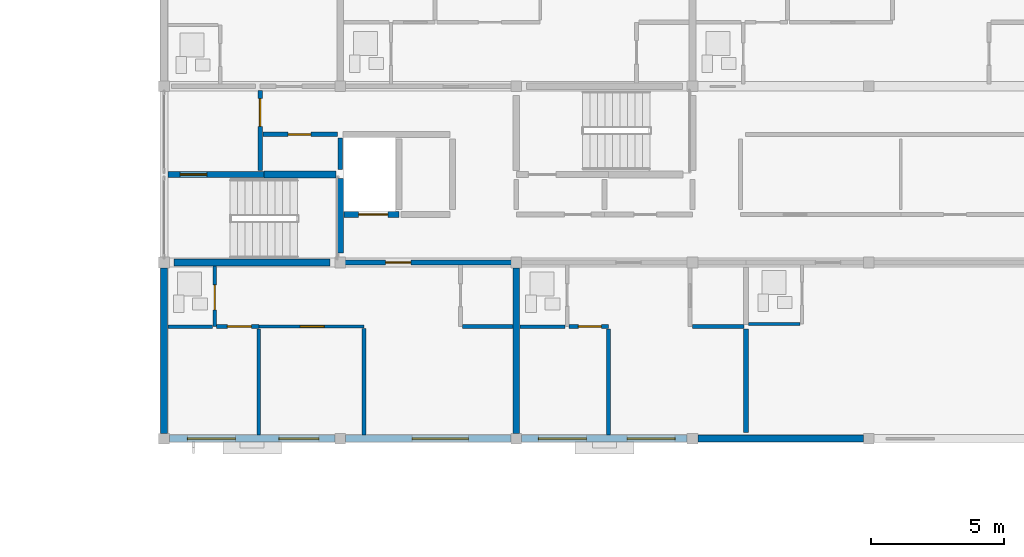
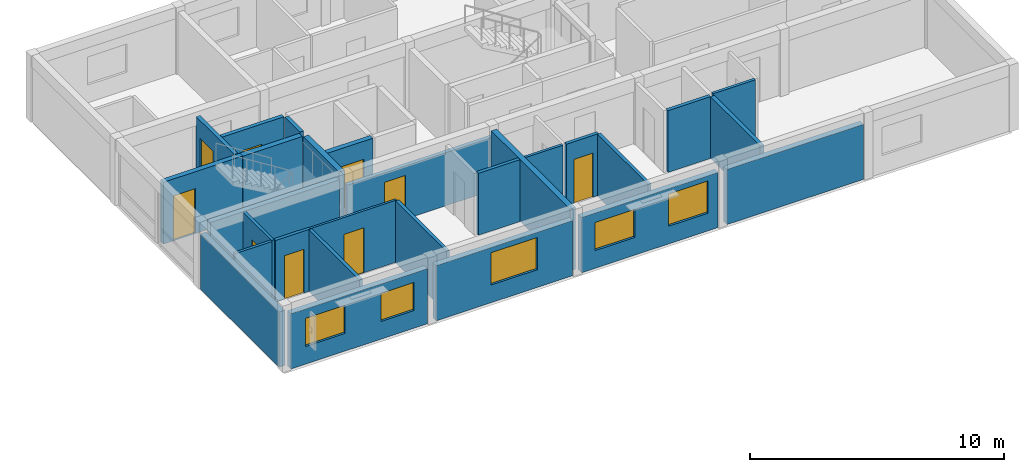
# One storey, part 23 of 37: 28 walls, 9 doors, 5 windows, 14 openings.
"""IFC4 building model written with IfcOpenShell, lengths in metres."""

from ifc_helpers import new_model, si_unit, direction, frame, frame_2d, origin, place, context, subcontext, project, spatial, rectangle, extrude, material, layer, layer_set, type_object, element, fill, save


model = new_model("IFC4")

# Units and contexts
model_context = context("Model", 3, precision=1e-05, world=origin(), true_north=direction((0.0, 1.0)))
body_context = subcontext(model_context, "Body", "Model", "MODEL_VIEW")
ifc_project = project(units=[si_unit("LENGTHUNIT", "METRE"), si_unit("AREAUNIT", "SQUARE_METRE"), si_unit("VOLUMEUNIT", "CUBIC_METRE"), si_unit("PLANEANGLEUNIT", "RADIAN"), si_unit("MASSUNIT", "GRAM", prefix="KILO")], contexts=[model_context])

# Site, building, storey
site_placement = place(None, origin())
site = spatial("IfcSite", under=ifc_project, at=site_placement, CompositionType="ELEMENT")
building_placement = place(site_placement, origin())
building = spatial("IfcBuilding", under=site, at=building_placement, Name="Kernevlak Ridge Housing Community", CompositionType="ELEMENT")
storey_placement = place(building_placement, frame((0.0, 0.0, 37.199951171875)))
storey = spatial("IfcBuildingStorey", under=building, at=storey_placement, Name="L11", CompositionType="ELEMENT", Elevation=37.199951171875)

# Wall, openings, windows
ifc_material_1 = material(Name="Concrete block masonry M10", Category="masonry")
ifc_layer_1 = layer(ifc_material_1, 0.260009765625, Name="Concrete block masonry M10")
ifc_layer_set_1 = layer_set([ifc_layer_1], Name="Concrete block masonry M10")
wall_type_1 = type_object("IfcWallType", Name="EW-05", PredefinedType="STANDARD", material=ifc_layer_set_1)
wall_1_placement = place(storey_placement, frame((119.60009765625, 82.60009765625, 0.0), z_axis=(0.0, 0.0, 1.0), x_axis=(1.0, 0.0, 0.0)))
wall_1 = element("IfcWall", 1, at=wall_1_placement, inside=storey, type_object=wall_type_1, Name="Exterior wall EW-05 L11 467", PredefinedType="STANDARD", context=body_context, shape_type="SweptSolid", body=[
    extrude(rectangle(XDim=6.199951171875, YDim=0.260009765625, at=frame_2d((3.10009765625, 0.0))), origin(), (0.0, 0.0, 1.0), 2.650146484375),
])
opening_1_placement = place(wall_1_placement, frame((0.675048828125, 0.0, 0.85009765625)))
opening_1 = element("IfcOpeningElement", 2, at=opening_1_placement, cuts=wall_1, Name="Opening WT-03", PredefinedType="OPENING", context=body_context, shape_type="SweptSolid", body=[
    extrude(rectangle(XDim=1.800048828125, YDim=1.35009765625, at=frame_2d((0.89990234375, 0.675048828125))), frame((0.0, 0.139892578125, 0.0), z_axis=(0.0, -1.0, 0.0), x_axis=(1.0, 0.0, 0.0)), (0.0, 0.0, 1.0), 0.280029296875),
])
opening_2_placement = place(wall_1_placement, frame((4.10009765625, 0.0, 0.85009765625)))
opening_2 = element("IfcOpeningElement", 3, at=opening_2_placement, cuts=wall_1, Name="Opening WT-02", PredefinedType="OPENING", context=body_context, shape_type="SweptSolid", body=[
    extrude(rectangle(XDim=1.5, YDim=1.35009765625, at=frame_2d((0.75, 0.675048828125))), frame((0.0, 0.139892578125, 0.0), z_axis=(0.0, -1.0, 0.0), x_axis=(1.0, 0.0, 0.0)), (0.0, 0.0, 1.0), 0.280029296875),
])
ifc_material_2 = material(Name="Aluminium EN AW-6060 anodised and laminated glass", Category="aluminium")
window_type_1 = type_object("IfcWindowType", Name="WT-02", PartitioningType="SINGLE_PANEL", PredefinedType="WINDOW", material=ifc_material_2)
window_1_placement = place(opening_2_placement, origin())
window_1 = element("IfcWindow", 4, at=window_1_placement, inside=storey, type_object=window_type_1, Name="Window WT-02 L11 362", OverallHeight=1.35009765625, OverallWidth=1.5, PartitioningType="SINGLE_PANEL", PredefinedType="WINDOW", context=body_context, shape_type="SweptSolid", body=[
    extrude(rectangle(XDim=1.5, YDim=1.35009765625, at=frame_2d((0.75, 0.675048828125))), frame((0.0, 0.030029296875, 0.0), z_axis=(0.0, -1.0, 0.0), x_axis=(1.0, 0.0, 0.0)), (0.0, 0.0, 1.0), 0.06005859375),
])
fill(opening_2, window_1)
window_type_2 = type_object("IfcWindowType", Name="WT-03", PartitioningType="SINGLE_PANEL", PredefinedType="WINDOW", material=ifc_material_2)
window_2_placement = place(opening_1_placement, origin())
window_2 = element("IfcWindow", 5, at=window_2_placement, inside=storey, type_object=window_type_2, Name="Window WT-03 L11 361", OverallHeight=1.35009765625, OverallWidth=1.800048828125, PartitioningType="SINGLE_PANEL", PredefinedType="WINDOW", context=body_context, shape_type="SweptSolid", body=[
    extrude(rectangle(XDim=1.800048828125, YDim=1.35009765625, at=frame_2d((0.89990234375, 0.675048828125))), frame((0.0, 0.030029296875, 0.0), z_axis=(0.0, -1.0, 0.0), x_axis=(1.0, 0.0, 0.0)), (0.0, 0.0, 1.0), 0.06005859375),
])
fill(opening_1, window_2)

# Wall, opening, window
wall_2_placement = place(storey_placement, frame((126.199951171875, 82.60009765625, 0.0), z_axis=(0.0, 0.0, 1.0), x_axis=(1.0, 0.0, 0.0)))
wall_2 = element("IfcWall", 6, at=wall_2_placement, inside=storey, type_object=wall_type_1, Name="Exterior wall EW-05 L11 468", PredefinedType="STANDARD", context=body_context, shape_type="SweptSolid", body=[
    extrude(rectangle(XDim=6.199951171875, YDim=0.260009765625, at=frame_2d((3.10009765625, 0.0))), origin(), (0.0, 0.0, 1.0), 2.650146484375),
])
opening_3_placement = place(wall_2_placement, frame((2.49609375, 0.0, 0.85009765625)))
opening_3 = element("IfcOpeningElement", 7, at=opening_3_placement, cuts=wall_2, Name="Opening WT-05", PredefinedType="OPENING", context=body_context, shape_type="SweptSolid", body=[
    extrude(rectangle(XDim=2.10009765625, YDim=1.550048828125, at=frame_2d((1.050048828125, 0.77490234375))), frame((0.0, 0.139892578125, 0.0), z_axis=(0.0, -1.0, 0.0), x_axis=(1.0, 0.0, 0.0)), (0.0, 0.0, 1.0), 0.280029296875),
])
window_type_3 = type_object("IfcWindowType", Name="WT-05", PartitioningType="SINGLE_PANEL", PredefinedType="WINDOW", material=ifc_material_2)
window_3_placement = place(opening_3_placement, origin())
window_3 = element("IfcWindow", 8, at=window_3_placement, inside=storey, type_object=window_type_3, Name="Window WT-05 L11 363", OverallHeight=1.550048828125, OverallWidth=2.10009765625, PartitioningType="SINGLE_PANEL", PredefinedType="WINDOW", context=body_context, shape_type="SweptSolid", body=[
    extrude(rectangle(XDim=2.10009765625, YDim=1.550048828125, at=frame_2d((1.050048828125, 0.77490234375))), frame((0.0, 0.030029296875, 0.0), z_axis=(0.0, -1.0, 0.0), x_axis=(1.0, 0.0, 0.0)), (0.0, 0.0, 1.0), 0.06005859375),
])
fill(opening_3, window_3)

# Wall, openings, windows
wall_3_placement = place(storey_placement, frame((132.800048828125, 82.60009765625, 0.0), z_axis=(0.0, 0.0, 1.0), x_axis=(1.0, 0.0, 0.0)))
wall_3 = element("IfcWall", 9, at=wall_3_placement, inside=storey, type_object=wall_type_1, Name="Exterior wall EW-05 L11 469", PredefinedType="STANDARD", context=body_context, shape_type="SweptSolid", body=[
    extrude(rectangle(XDim=6.199951171875, YDim=0.260009765625, at=frame_2d((3.10009765625, 0.0))), origin(), (0.0, 0.0, 1.0), 2.650146484375),
])
opening_4_placement = place(wall_3_placement, frame((0.625, 0.0, 0.85009765625)))
opening_4 = element("IfcOpeningElement", 10, at=opening_4_placement, cuts=wall_3, Name="Opening WT-03", PredefinedType="OPENING", context=body_context, shape_type="SweptSolid", body=[
    extrude(rectangle(XDim=1.800048828125, YDim=1.35009765625, at=frame_2d((0.89990234375, 0.675048828125))), frame((0.0, 0.139892578125, 0.0), z_axis=(0.0, -1.0, 0.0), x_axis=(1.0, 0.0, 0.0)), (0.0, 0.0, 1.0), 0.280029296875),
])
opening_5_placement = place(wall_3_placement, frame((3.949951171875, 0.0, 0.85009765625)))
opening_5 = element("IfcOpeningElement", 11, at=opening_5_placement, cuts=wall_3, Name="Opening WT-04", PredefinedType="OPENING", context=body_context, shape_type="SweptSolid", body=[
    extrude(rectangle(XDim=1.800048828125, YDim=1.550048828125, at=frame_2d((0.89990234375, 0.77490234375))), frame((0.0, 0.139892578125, 0.0), z_axis=(0.0, -1.0, 0.0), x_axis=(1.0, 0.0, 0.0)), (0.0, 0.0, 1.0), 0.280029296875),
])
window_4_placement = place(opening_4_placement, origin())
window_4 = element("IfcWindow", 12, at=window_4_placement, inside=storey, type_object=window_type_2, Name="Window WT-03 L11 364", OverallHeight=1.35009765625, OverallWidth=1.800048828125, PartitioningType="SINGLE_PANEL", PredefinedType="WINDOW", context=body_context, shape_type="SweptSolid", body=[
    extrude(rectangle(XDim=1.800048828125, YDim=1.35009765625, at=frame_2d((0.89990234375, 0.675048828125))), frame((0.0, 0.030029296875, 0.0), z_axis=(0.0, -1.0, 0.0), x_axis=(1.0, 0.0, 0.0)), (0.0, 0.0, 1.0), 0.06005859375),
])
fill(opening_4, window_4)
window_type_4 = type_object("IfcWindowType", Name="WT-04", PartitioningType="SINGLE_PANEL", PredefinedType="WINDOW", material=ifc_material_2)
window_5_placement = place(opening_5_placement, origin())
window_5 = element("IfcWindow", 13, at=window_5_placement, inside=storey, type_object=window_type_4, Name="Window WT-04 L11 365", OverallHeight=1.550048828125, OverallWidth=1.800048828125, PartitioningType="SINGLE_PANEL", PredefinedType="WINDOW", context=body_context, shape_type="SweptSolid", body=[
    extrude(rectangle(XDim=1.800048828125, YDim=1.550048828125, at=frame_2d((0.89990234375, 0.77490234375))), frame((0.0, 0.030029296875, 0.0), z_axis=(0.0, -1.0, 0.0), x_axis=(1.0, 0.0, 0.0)), (0.0, 0.0, 1.0), 0.06005859375),
])
fill(opening_5, window_5)

# Walls
wall_4_placement = place(storey_placement, frame((139.39990234375, 82.60009765625, 0.0), z_axis=(0.0, 0.0, 1.0), x_axis=(1.0, 0.0, 0.0)))
element("IfcWall", 14, at=wall_4_placement, inside=storey, type_object=wall_type_1, Name="Exterior wall EW-05 L11 470", PredefinedType="STANDARD", context=body_context, shape_type="SweptSolid", body=[
    extrude(rectangle(XDim=6.2001953125, YDim=0.260009765625, at=frame_2d((3.10009765625, 0.0))), origin(), (0.0, 0.0, 1.0), 2.650146484375),
])
wall_5_placement = place(storey_placement, frame((119.39990234375, 82.800048828125, 0.0), z_axis=(0.0, 0.0, 1.0), x_axis=(0.0, 1.0, 0.0)))
element("IfcWall", 15, at=wall_5_placement, inside=storey, type_object=wall_type_1, Name="Exterior wall EW-05 L11 479", PredefinedType="STANDARD", context=body_context, shape_type="SweptSolid", body=[
    extrude(rectangle(XDim=6.199951171875, YDim=0.260009765625, at=frame_2d((3.10009765625, 0.0))), origin(), (0.0, 0.0, 1.0), 2.650146484375),
])

# Wall, opening, door
ifc_material_3 = material(Name="Concrete C35/45", Category="concrete")
ifc_layer_2 = layer(ifc_material_3, 0.22509765625, Name="Concrete C35/45")
ifc_layer_set_2 = layer_set([ifc_layer_2], Name="Concrete C35/45")
wall_type_2 = type_object("IfcWallType", Name="PW-01", PredefinedType="STANDARD", material=ifc_layer_set_2)
wall_6_placement = place(storey_placement, frame((119.550048828125, 92.5, 0.0), z_axis=(0.0, 0.0, 1.0), x_axis=(1.0, 0.0, 0.0)))
wall_6 = element("IfcWall", 16, at=wall_6_placement, inside=storey, type_object=wall_type_2, Name="Interior wall PW-01 WAL-INT-L11-1828", PredefinedType="STANDARD", context=body_context, shape_type="SweptSolid", body=[
    extrude(rectangle(XDim=3.599853515625, YDim=0.22509765625, at=frame_2d((1.7998046875, 0.0))), origin(), (0.0, 0.0, 1.0), 2.969970703125),
])
opening_6_placement = place(wall_6_placement, frame((0.449951171875, 0.0, 0.0)))
opening_6 = element("IfcOpeningElement", 17, at=opening_6_placement, cuts=wall_6, Name="Opening D927", PredefinedType="OPENING", context=body_context, shape_type="SweptSolid", body=[
    extrude(rectangle(XDim=1.0, YDim=2.159912109375, at=frame_2d((0.5, 1.080078125))), frame((0.0, 0.12255859375, 0.0), z_axis=(0.0, -1.0, 0.0), x_axis=(1.0, 0.0, 0.0)), (0.0, 0.0, 1.0), 0.2451171875),
])
ifc_material_4 = material(Name="Fire-rated sheet steel leaf", Category="steel")
door_type_1 = type_object("IfcDoorType", Name="DT-15", OperationType="NOTDEFINED", PredefinedType="DOOR", material=ifc_material_4)
door_1_placement = place(opening_6_placement, origin())
door_1 = element("IfcDoor", 18, at=door_1_placement, inside=storey, type_object=door_type_1, Name="Block B Stair 1 fire door D927", OperationType="SINGLE_SWING_LEFT", OverallHeight=2.159912109375, OverallWidth=1.0, PredefinedType="DOOR", context=body_context, shape_type="SweptSolid", body=[
    extrude(rectangle(XDim=1.0, YDim=2.159912109375, at=frame_2d((0.5, 1.080078125))), frame((0.0, 0.02490234375, 0.0), z_axis=(0.0, -1.0, 0.0), x_axis=(1.0, 0.0, 0.0)), (0.0, 0.0, 1.0), 0.050048828125),
])
fill(opening_6, door_1)

wall_7_placement = place(storey_placement, frame((126.135009765625, 91.0, 0.0), z_axis=(0.0, 0.0, 1.0), x_axis=(1.0, 0.0, 0.0)))
wall_7 = element("IfcWall", 19, at=wall_7_placement, inside=storey, type_object=wall_type_2, Name="Interior wall PW-01 WAL-INT-L11-1832", PredefinedType="STANDARD", context=body_context, shape_type="SweptSolid", body=[
    extrude(rectangle(XDim=2.06494140625, YDim=0.22509765625, at=frame_2d((1.032470703125, 0.0))), origin(), (0.0, 0.0, 1.0), 2.969970703125),
])
opening_7_placement = place(wall_7_placement, frame((0.550048828125, 0.0, 0.0)))
opening_7 = element("IfcOpeningElement", 20, at=opening_7_placement, cuts=wall_7, Name="Opening LD50", PredefinedType="OPENING", context=body_context, shape_type="SweptSolid", body=[
    extrude(rectangle(XDim=1.10009765625, YDim=2.10009765625, at=frame_2d((0.550048828125, 1.050048828125))), frame((0.0, 0.12255859375, 0.0), z_axis=(0.0, -1.0, 0.0), x_axis=(1.0, 0.0, 0.0)), (0.0, 0.0, 1.0), 0.2451171875),
])
ifc_material_5 = material(Name="Stainless steel EN 1.4401", Category="steel")
door_type_2 = type_object("IfcDoorType", Name="DT-LD1", OperationType="DOUBLE_DOOR_SLIDING", PredefinedType="DOOR", material=ifc_material_5)
door_2_placement = place(opening_7_placement, origin())
door_2 = element("IfcDoor", 21, at=door_2_placement, inside=storey, type_object=door_type_2, Name="Lift LF-B1 landing door LD50", OperationType="DOUBLE_DOOR_SLIDING", OverallHeight=2.10009765625, OverallWidth=1.10009765625, PredefinedType="DOOR", context=body_context, shape_type="SweptSolid", body=[
    extrude(rectangle(XDim=1.10009765625, YDim=2.10009765625, at=frame_2d((0.550048828125, 1.050048828125))), frame((0.0, 0.02490234375, 0.0), z_axis=(0.0, -1.0, 0.0), x_axis=(1.0, 0.0, 0.0)), (0.0, 0.0, 1.0), 0.050048828125),
])
fill(opening_7, door_2)

ifc_layer_3 = layer(ifc_material_1, 0.175048828125, Name="Concrete block masonry M10")
ifc_layer_set_3 = layer_set([ifc_layer_3], Name="Concrete block masonry M10")
wall_type_3 = type_object("IfcWallType", Name="PW-02", PredefinedType="PARTITIONING", material=ifc_layer_set_3)
wall_8_placement = place(storey_placement, frame((123.0, 92.64990234375, 0.0), z_axis=(0.0, 0.0, 1.0), x_axis=(0.0, 1.0, 0.0)))
wall_8 = element("IfcWall", 22, at=wall_8_placement, inside=storey, type_object=wall_type_3, Name="Interior wall PW-02 WAL-INT-L11-1829", PredefinedType="PARTITIONING", context=body_context, shape_type="SweptSolid", body=[
    extrude(rectangle(XDim=3.0, YDim=0.175048828125, at=frame_2d((1.5, 0.0))), origin(), (0.0, 0.0, 1.0), 2.969970703125),
])
opening_8_placement = place(wall_8_placement, frame((1.64990234375, 0.0, 0.0)))
opening_8 = element("IfcOpeningElement", 23, at=opening_8_placement, cuts=wall_8, Name="Opening D928", PredefinedType="OPENING", context=body_context, shape_type="SweptSolid", body=[
    extrude(rectangle(XDim=1.0400390625, YDim=2.1201171875, at=frame_2d((0.52001953125, 1.06005859375))), frame((0.0, 0.097412109375, 0.0), z_axis=(0.0, -1.0, 0.0), x_axis=(1.0, 0.0, 0.0)), (0.0, 0.0, 1.0), 0.195068359375),
])
door_type_3 = type_object("IfcDoorType", Name="DT-16", OperationType="NOTDEFINED", PredefinedType="DOOR", material=ifc_material_4)
door_3_placement = place(opening_8_placement, origin())
door_3 = element("IfcDoor", 24, at=door_3_placement, inside=storey, type_object=door_type_3, Name="Block B Firefighting lobby 1 door D928", OperationType="SINGLE_SWING_RIGHT", OverallHeight=2.1201171875, OverallWidth=1.0400390625, PredefinedType="DOOR", context=body_context, shape_type="SweptSolid", body=[
    extrude(rectangle(XDim=1.0400390625, YDim=2.1201171875, at=frame_2d((0.52001953125, 1.06005859375))), frame((0.0, 0.02490234375, 0.0), z_axis=(0.0, -1.0, 0.0), x_axis=(1.0, 0.0, 0.0)), (0.0, 0.0, 1.0), 0.050048828125),
])
fill(opening_8, door_3)

wall_9_placement = place(storey_placement, frame((123.10009765625, 94.0, 0.0), z_axis=(0.0, 0.0, 1.0), x_axis=(1.0, 0.0, 0.0)))
wall_9 = element("IfcWall", 25, at=wall_9_placement, inside=storey, type_object=wall_type_3, Name="Interior wall PW-02 WAL-INT-L11-1830", PredefinedType="PARTITIONING", context=body_context, shape_type="SweptSolid", body=[
    extrude(rectangle(XDim=2.7998046875, YDim=0.175048828125, at=frame_2d((1.39990234375, 0.0))), origin(), (0.0, 0.0, 1.0), 2.969970703125),
])
opening_9_placement = place(wall_9_placement, frame((0.949951171875, 0.0, 0.0)))
opening_9 = element("IfcOpeningElement", 26, at=opening_9_placement, cuts=wall_9, Name="Opening D929", PredefinedType="OPENING", context=body_context, shape_type="SweptSolid", body=[
    extrude(rectangle(XDim=0.85009765625, YDim=2.0, at=frame_2d((0.425048828125, 1.0))), frame((0.0, 0.097412109375, 0.0), z_axis=(0.0, -1.0, 0.0), x_axis=(1.0, 0.0, 0.0)), (0.0, 0.0, 1.0), 0.195068359375),
])
door_type_4 = type_object("IfcDoorType", Name="DT-07", OperationType="NOTDEFINED", PredefinedType="DOOR", material=ifc_material_4)
door_4_placement = place(opening_9_placement, origin())
door_4 = element("IfcDoor", 27, at=door_4_placement, inside=storey, type_object=door_type_4, Name="Block B Riser shaft door D929", OperationType="SINGLE_SWING_LEFT", OverallHeight=2.0, OverallWidth=0.85009765625, PredefinedType="DOOR", context=body_context, shape_type="SweptSolid", body=[
    extrude(rectangle(XDim=0.85009765625, YDim=2.0, at=frame_2d((0.425048828125, 1.0))), frame((0.0, 0.02490234375, 0.0), z_axis=(0.0, -1.0, 0.0), x_axis=(1.0, 0.0, 0.0)), (0.0, 0.0, 1.0), 0.050048828125),
])
fill(opening_9, door_4)

# Wall
wall_10_placement = place(storey_placement, frame((126.0, 92.679931640625, 0.0), z_axis=(0.0, 0.0, 1.0), x_axis=(0.0, 1.0, 0.0)))
element("IfcWall", 28, at=wall_10_placement, inside=storey, type_object=wall_type_3, Name="Interior wall PW-02 WAL-INT-L11-1831", PredefinedType="PARTITIONING", context=body_context, shape_type="SweptSolid", body=[
    extrude(rectangle(XDim=1.190185546875, YDim=0.175048828125, at=frame_2d((0.59521484375, 0.0))), origin(), (0.0, 0.0, 1.0), 2.969970703125),
])

# Wall, opening, door
wall_11_placement = place(storey_placement, frame((126.0, 89.199951171875, 0.0), z_axis=(0.0, 0.0, 1.0), x_axis=(1.0, 0.0, 0.0)))
wall_11 = element("IfcWall", 29, at=wall_11_placement, inside=storey, type_object=wall_type_3, Name="Interior wall PW-02 WAL-INT-L11-1849", PredefinedType="PARTITIONING", context=body_context, shape_type="SweptSolid", body=[
    extrude(rectangle(XDim=6.60009765625, YDim=0.175048828125, at=frame_2d((3.300048828125, 0.0))), origin(), (0.0, 0.0, 1.0), 2.550048828125),
])
opening_10_placement = place(wall_11_placement, frame((1.699951171875, 0.0, 0.0)))
opening_10 = element("IfcOpeningElement", 30, at=opening_10_placement, cuts=wall_11, Name="Opening D935", PredefinedType="OPENING", context=body_context, shape_type="SweptSolid", body=[
    extrude(rectangle(XDim=0.949951171875, YDim=2.10009765625, at=frame_2d((0.47509765625, 1.050048828125))), frame((0.0, 0.097412109375, 0.0), z_axis=(0.0, -1.0, 0.0), x_axis=(1.0, 0.0, 0.0)), (0.0, 0.0, 1.0), 0.195068359375),
])
ifc_material_6 = material(Name="Hardwood timber solid-core fire leaf", Category="wood")
door_type_5 = type_object("IfcDoorType", Name="DT-01", OperationType="NOTDEFINED", PredefinedType="DOOR", material=ifc_material_6)
door_5_placement = place(opening_10_placement, origin())
door_5 = element("IfcDoor", 31, at=door_5_placement, inside=storey, type_object=door_type_5, Name="Flat B1111 entrance fire door D935", OperationType="SINGLE_SWING_LEFT", OverallHeight=2.10009765625, OverallWidth=0.949951171875, PredefinedType="DOOR", context=body_context, shape_type="SweptSolid", body=[
    extrude(rectangle(XDim=0.949951171875, YDim=2.10009765625, at=frame_2d((0.47509765625, 1.050048828125))), frame((0.0, 0.02490234375, 0.0), z_axis=(0.0, -1.0, 0.0), x_axis=(1.0, 0.0, 0.0)), (0.0, 0.0, 1.0), 0.050048828125),
])
fill(opening_10, door_5)

# Wall
wall_12_placement = place(storey_placement, frame((141.199951171875, 86.71240234375, 0.0), z_axis=(0.0, 0.0, 1.0), x_axis=(0.0, -1.0, 0.0)))
element("IfcWall", 32, at=wall_12_placement, inside=storey, type_object=wall_type_3, Name="Interior wall PW-02 WAL-INT-L11-1865-S2", PredefinedType="PARTITIONING", context=body_context, shape_type="SweptSolid", body=[
    extrude(rectangle(XDim=3.88232421875, YDim=0.175048828125, at=frame_2d((1.941162109375, 0.0))), origin(), (0.0, 0.0, 1.0), 2.969970703125),
])

# Wall, opening, door
ifc_layer_4 = layer(ifc_material_1, 0.14501953125, Name="Concrete block masonry M10")
ifc_layer_set_4 = layer_set([ifc_layer_4], Name="Concrete block masonry M10")
wall_type_4 = type_object("IfcWallType", Name="PW-03", PredefinedType="PARTITIONING", material=ifc_layer_set_4)
wall_13_placement = place(storey_placement, frame((121.37255859375, 86.800048828125, 0.0), z_axis=(0.0, 0.0, 1.0), x_axis=(1.0, 0.0, 0.0)))
wall_13 = element("IfcWall", 33, at=wall_13_placement, inside=storey, type_object=wall_type_4, Name="Interior wall PW-03 WAL-INT-L11-1854", PredefinedType="PARTITIONING", context=body_context, shape_type="SweptSolid", body=[
    extrude(rectangle(XDim=1.577392578125, YDim=0.14501953125, at=frame_2d((0.78857421875, 0.0))), origin(), (0.0, 0.0, 1.0), 2.969970703125),
])
opening_11_placement = place(wall_13_placement, frame((0.39990234375, 0.0, 0.0)))
opening_11 = element("IfcOpeningElement", 34, at=opening_11_placement, cuts=wall_13, Name="Opening D938", PredefinedType="OPENING", context=body_context, shape_type="SweptSolid", body=[
    extrude(rectangle(XDim=0.89990234375, YDim=2.10009765625, at=frame_2d((0.449951171875, 1.050048828125))), frame((0.0, 0.08251953125, 0.0), z_axis=(0.0, -1.0, 0.0), x_axis=(1.0, 0.0, 0.0)), (0.0, 0.0, 1.0), 0.1650390625),
])
ifc_material_7 = material(Name="Hardwood timber leaf", Category="wood")
door_type_6 = type_object("IfcDoorType", Name="DT-21", OperationType="NOTDEFINED", PredefinedType="DOOR", material=ifc_material_7)
door_6_placement = place(opening_11_placement, origin())
door_6 = element("IfcDoor", 35, at=door_6_placement, inside=storey, type_object=door_type_6, Name="Flat B1111 bedroom door D938", OperationType="SINGLE_SWING_RIGHT", OverallHeight=2.10009765625, OverallWidth=0.89990234375, PredefinedType="DOOR", context=body_context, shape_type="SweptSolid", body=[
    extrude(rectangle(XDim=0.89990234375, YDim=2.10009765625, at=frame_2d((0.449951171875, 1.050048828125))), frame((0.0, 0.02490234375, 0.0), z_axis=(0.0, -1.0, 0.0), x_axis=(1.0, 0.0, 0.0)), (0.0, 0.0, 1.0), 0.050048828125),
])
fill(opening_11, door_6)

# Walls
wall_14_placement = place(storey_placement, frame((122.949951171875, 86.717529296875, 0.0), z_axis=(0.0, 0.0, 1.0), x_axis=(0.0, -1.0, 0.0)))
element("IfcWall", 36, at=wall_14_placement, inside=storey, type_object=wall_type_4, Name="Interior wall PW-03 WAL-INT-L11-1855", PredefinedType="PARTITIONING", context=body_context, shape_type="SweptSolid", body=[
    extrude(rectangle(XDim=3.9775390625, YDim=0.14501953125, at=frame_2d((1.98876953125, 0.0))), origin(), (0.0, 0.0, 1.0), 2.969970703125),
])
wall_15_placement = place(storey_placement, frame((126.89208984375, 86.719970703125, 0.0), z_axis=(0.0, 0.0, 1.0), x_axis=(0.0, -1.0, 0.0)))
element("IfcWall", 37, at=wall_15_placement, inside=storey, type_object=wall_type_4, Name="Interior wall PW-03 WAL-INT-L11-1857", PredefinedType="PARTITIONING", context=body_context, shape_type="SweptSolid", body=[
    extrude(rectangle(XDim=3.97998046875, YDim=0.14501953125, at=frame_2d((1.989990234375, 0.0))), origin(), (0.0, 0.0, 1.0), 2.969970703125),
])

# Wall, opening, door
wall_16_placement = place(storey_placement, frame((134.572509765625, 86.800048828125, 0.0), z_axis=(0.0, 0.0, 1.0), x_axis=(1.0, 0.0, 0.0)))
wall_16 = element("IfcWall", 38, at=wall_16_placement, inside=storey, type_object=wall_type_4, Name="Interior wall PW-03 WAL-INT-L11-1863", PredefinedType="PARTITIONING", context=body_context, shape_type="SweptSolid", body=[
    extrude(rectangle(XDim=1.4775390625, YDim=0.14501953125, at=frame_2d((0.73876953125, 0.0))), origin(), (0.0, 0.0, 1.0), 2.969970703125),
])
opening_12_placement = place(wall_16_placement, frame((0.35009765625, 0.0, 0.0)))
opening_12 = element("IfcOpeningElement", 39, at=opening_12_placement, cuts=wall_16, Name="Opening D943", PredefinedType="OPENING", context=body_context, shape_type="SweptSolid", body=[
    extrude(rectangle(XDim=0.860107421875, YDim=2.1201171875, at=frame_2d((0.43017578125, 1.06005859375))), frame((0.0, 0.08251953125, 0.0), z_axis=(0.0, -1.0, 0.0), x_axis=(1.0, 0.0, 0.0)), (0.0, 0.0, 1.0), 0.1650390625),
])
door_type_7 = type_object("IfcDoorType", Name="DT-28", OperationType="NOTDEFINED", PredefinedType="DOOR", material=ifc_material_7)
door_7_placement = place(opening_12_placement, origin())
door_7 = element("IfcDoor", 40, at=door_7_placement, inside=storey, type_object=door_type_7, Name="Flat B1112 bedroom door D943", OperationType="SINGLE_SWING_LEFT", OverallHeight=2.1201171875, OverallWidth=0.860107421875, PredefinedType="DOOR", context=body_context, shape_type="SweptSolid", body=[
    extrude(rectangle(XDim=0.860107421875, YDim=2.1201171875, at=frame_2d((0.43017578125, 1.06005859375))), frame((0.0, 0.02490234375, 0.0), z_axis=(0.0, -1.0, 0.0), x_axis=(1.0, 0.0, 0.0)), (0.0, 0.0, 1.0), 0.050048828125),
])
fill(opening_12, door_7)

# Wall
wall_17_placement = place(storey_placement, frame((136.050048828125, 86.717529296875, 0.0), z_axis=(0.0, 0.0, 1.0), x_axis=(0.0, -1.0, 0.0)))
element("IfcWall", 41, at=wall_17_placement, inside=storey, type_object=wall_type_4, Name="Interior wall PW-03 WAL-INT-L11-1864", PredefinedType="PARTITIONING", context=body_context, shape_type="SweptSolid", body=[
    extrude(rectangle(XDim=3.9775390625, YDim=0.14501953125, at=frame_2d((1.98876953125, 0.0))), origin(), (0.0, 0.0, 1.0), 2.969970703125),
])

# Wall, opening, door
ifc_material_8 = material(Name="Gypsum plasterboard EN 520", Category="gypsum")
ifc_layer_5 = layer(ifc_material_8, 0.125, Name="Gypsum plasterboard EN 520")
ifc_layer_set_5 = layer_set([ifc_layer_5], Name="Gypsum plasterboard EN 520")
wall_type_5 = type_object("IfcWallType", Name="PW-04", PredefinedType="PARTITIONING", material=ifc_layer_set_5)
wall_18_placement = place(storey_placement, frame((121.300048828125, 89.06494140625, 0.0), z_axis=(0.0, 0.0, 1.0), x_axis=(0.0, -1.0, 0.0)))
wall_18 = element("IfcWall", 42, at=wall_18_placement, inside=storey, type_object=wall_type_5, Name="Interior wall PW-04 WAL-INT-L11-1850", PredefinedType="PARTITIONING", context=body_context, shape_type="SweptSolid", body=[
    extrude(rectangle(XDim=2.264892578125, YDim=0.125, at=frame_2d((1.13232421875, 0.0))), origin(), (0.0, 0.0, 1.0), 2.969970703125),
])
opening_13_placement = place(wall_18_placement, frame((0.699951171875, 0.0, 0.0)))
opening_13 = element("IfcOpeningElement", 43, at=opening_13_placement, cuts=wall_18, Name="Opening D936", PredefinedType="OPENING", context=body_context, shape_type="SweptSolid", body=[
    extrude(rectangle(XDim=0.93994140625, YDim=2.080078125, at=frame_2d((0.469970703125, 1.0400390625))), frame((0.0, 0.072509765625, 0.0), z_axis=(0.0, -1.0, 0.0), x_axis=(1.0, 0.0, 0.0)), (0.0, 0.0, 1.0), 0.14501953125),
])
ifc_material_9 = material(Name="Hardwood timber moisture-resistant leaf", Category="wood")
door_type_8 = type_object("IfcDoorType", Name="DT-23", OperationType="NOTDEFINED", PredefinedType="DOOR", material=ifc_material_9)
door_8_placement = place(opening_13_placement, origin())
door_8 = element("IfcDoor", 44, at=door_8_placement, inside=storey, type_object=door_type_8, Name="Flat B1111 bathroom door D936", OperationType="SINGLE_SWING_RIGHT", OverallHeight=2.080078125, OverallWidth=0.93994140625, PredefinedType="DOOR", context=body_context, shape_type="SweptSolid", body=[
    extrude(rectangle(XDim=0.93994140625, YDim=2.080078125, at=frame_2d((0.469970703125, 1.0400390625))), frame((0.0, 0.02490234375, 0.0), z_axis=(0.0, -1.0, 0.0), x_axis=(1.0, 0.0, 0.0)), (0.0, 0.0, 1.0), 0.050048828125),
])
fill(opening_13, door_8)

# Walls
wall_19_placement = place(storey_placement, frame((119.5400390625, 86.800048828125, 0.0), z_axis=(0.0, 0.0, 1.0), x_axis=(1.0, 0.0, 0.0)))
element("IfcWall", 45, at=wall_19_placement, inside=storey, type_object=wall_type_5, Name="Interior wall PW-04 WAL-INT-L11-1851", PredefinedType="PARTITIONING", context=body_context, shape_type="SweptSolid", body=[
    extrude(rectangle(XDim=1.679931640625, YDim=0.125, at=frame_2d((0.83984375, 0.0))), origin(), (0.0, 0.0, 1.0), 2.969970703125),
])
wall_20_placement = place(storey_placement, frame((132.735107421875, 86.800048828125, 0.0), z_axis=(0.0, 0.0, 1.0), x_axis=(1.0, 0.0, 0.0)))
element("IfcWall", 46, at=wall_20_placement, inside=storey, type_object=wall_type_5, Name="Interior wall PW-04 WAL-INT-L11-1860", PredefinedType="PARTITIONING", context=body_context, shape_type="SweptSolid", body=[
    extrude(rectangle(XDim=1.684814453125, YDim=0.125, at=frame_2d((0.84228515625, 0.0))), origin(), (0.0, 0.0, 1.0), 2.969970703125),
])
wall_21_placement = place(storey_placement, frame((141.297607421875, 86.89990234375, 0.0), z_axis=(0.0, 0.0, 1.0), x_axis=(1.0, 0.0, 0.0)))
element("IfcWall", 47, at=wall_21_placement, inside=storey, type_object=wall_type_5, Name="Interior wall PW-04 WAL-INT-L11-1868", PredefinedType="PARTITIONING", context=body_context, shape_type="SweptSolid", body=[
    extrude(rectangle(XDim=1.92236328125, YDim=0.125, at=frame_2d((0.961181640625, 0.0))), origin(), (0.0, 0.0, 1.0), 2.969970703125),
])
ifc_layer_6 = layer(ifc_material_8, 0.155029296875, Name="Gypsum plasterboard EN 520")
ifc_layer_set_6 = layer_set([ifc_layer_6], Name="Gypsum plasterboard EN 520")
wall_type_6 = type_object("IfcWallType", Name="PW-05", PredefinedType="PARTITIONING", material=ifc_layer_set_6)
wall_22_placement = place(storey_placement, frame((130.58740234375, 86.800048828125, 0.0), z_axis=(0.0, 0.0, 1.0), x_axis=(1.0, 0.0, 0.0)))
element("IfcWall", 48, at=wall_22_placement, inside=storey, type_object=wall_type_6, Name="Interior wall PW-05 WAL-INT-L11-1853", PredefinedType="PARTITIONING", context=body_context, shape_type="SweptSolid", body=[
    extrude(rectangle(XDim=1.877685546875, YDim=0.155029296875, at=frame_2d((0.93896484375, 0.0))), origin(), (0.0, 0.0, 1.0), 2.969970703125),
])
wall_23_placement = place(storey_placement, frame((139.1875, 86.800048828125, 0.0), z_axis=(0.0, 0.0, 1.0), x_axis=(1.0, 0.0, 0.0)))
element("IfcWall", 49, at=wall_23_placement, inside=storey, type_object=wall_type_6, Name="Interior wall PW-05 WAL-INT-L11-1862", PredefinedType="PARTITIONING", context=body_context, shape_type="SweptSolid", body=[
    extrude(rectangle(XDim=1.9326171875, YDim=0.155029296875, at=frame_2d((0.96630859375, 0.0))), origin(), (0.0, 0.0, 1.0), 2.969970703125),
])

# Wall, opening, door
ifc_layer_7 = layer(ifc_material_8, 0.10498046875, Name="Gypsum plasterboard EN 520")
ifc_layer_set_7 = layer_set([ifc_layer_7], Name="Gypsum plasterboard EN 520")
wall_type_7 = type_object("IfcWallType", Name="PW-06", PredefinedType="PARTITIONING", material=ifc_layer_set_7)
wall_24_placement = place(storey_placement, frame((122.949951171875, 86.800048828125, 0.0), z_axis=(0.0, 0.0, 1.0), x_axis=(1.0, 0.0, 0.0)))
wall_24 = element("IfcWall", 50, at=wall_24_placement, inside=storey, type_object=wall_type_7, Name="Interior wall PW-06 WAL-INT-L11-1856", PredefinedType="PARTITIONING", context=body_context, shape_type="SweptSolid", body=[
    extrude(rectangle(XDim=3.942138671875, YDim=0.10498046875, at=frame_2d((1.97119140625, 0.0))), origin(), (0.0, 0.0, 1.0), 2.969970703125),
])
opening_14_placement = place(wall_24_placement, frame((1.5458984375, 0.0, 0.0)))
opening_14 = element("IfcOpeningElement", 51, at=opening_14_placement, cuts=wall_24, Name="Opening D939", PredefinedType="OPENING", context=body_context, shape_type="SweptSolid", body=[
    extrude(rectangle(XDim=0.89990234375, YDim=2.159912109375, at=frame_2d((0.449951171875, 1.080078125))), frame((0.0, 0.0625, 0.0), z_axis=(0.0, -1.0, 0.0), x_axis=(1.0, 0.0, 0.0)), (0.0, 0.0, 1.0), 0.125),
])
door_type_9 = type_object("IfcDoorType", Name="DT-22", OperationType="NOTDEFINED", PredefinedType="DOOR", material=ifc_material_7)
door_9_placement = place(opening_14_placement, origin())
door_9 = element("IfcDoor", 52, at=door_9_placement, inside=storey, type_object=door_type_9, Name="Flat B1111 bedroom door D939", OperationType="SINGLE_SWING_LEFT", OverallHeight=2.159912109375, OverallWidth=0.89990234375, PredefinedType="DOOR", context=body_context, shape_type="SweptSolid", body=[
    extrude(rectangle(XDim=0.89990234375, YDim=2.159912109375, at=frame_2d((0.449951171875, 1.080078125))), frame((0.0, 0.02490234375, 0.0), z_axis=(0.0, -1.0, 0.0), x_axis=(1.0, 0.0, 0.0)), (0.0, 0.0, 1.0), 0.050048828125),
])
fill(opening_14, door_9)

# Walls
ifc_material_10 = material(Name="Concrete C40/50", Category="concrete")
ifc_layer_8 = layer(ifc_material_10, 0.25, Name="Concrete C40/50")
ifc_layer_set_8 = layer_set([ifc_layer_8], Name="Concrete C40/50")
wall_type_8 = type_object("IfcWallType", Name="SW-03", PredefinedType="SHEAR", material=ifc_layer_set_8)
wall_25_placement = place(storey_placement, frame((119.780029296875, 89.199951171875, 0.0), z_axis=(0.0, 0.0, 1.0), x_axis=(1.0, 0.0, 0.0)))
element("IfcWall", 53, at=wall_25_placement, inside=storey, type_object=wall_type_8, Name="Shear wall SW-03 Block B L11 321", PredefinedType="SHEAR", context=body_context, shape_type="SweptSolid", body=[
    extrude(rectangle(XDim=5.840087890625, YDim=0.25, at=frame_2d((2.919921875, 0.0))), origin(), (0.0, 0.0, 1.0), 2.969970703125),
])
wall_26_placement = place(storey_placement, frame((123.14990234375, 92.5, 0.0), z_axis=(0.0, 0.0, 1.0), x_axis=(1.0, 0.0, 0.0)))
element("IfcWall", 54, at=wall_26_placement, inside=storey, type_object=wall_type_8, Name="Shear wall SW-03 Block B L11 322", PredefinedType="SHEAR", context=body_context, shape_type="SweptSolid", body=[
    extrude(rectangle(XDim=2.7001953125, YDim=0.25, at=frame_2d((1.35009765625, 0.0))), origin(), (0.0, 0.0, 1.0), 2.969970703125),
])
wall_27_placement = place(storey_placement, frame((126.0, 89.550048828125, 0.0), z_axis=(0.0, 0.0, 1.0), x_axis=(0.0, 1.0, 0.0)))
element("IfcWall", 55, at=wall_27_placement, inside=storey, type_object=wall_type_8, Name="Shear wall SW-03 Block B L11 323", PredefinedType="SHEAR", context=body_context, shape_type="SweptSolid", body=[
    extrude(rectangle(XDim=2.800048828125, YDim=0.25, at=frame_2d((1.39990234375, 0.0))), origin(), (0.0, 0.0, 1.0), 2.969970703125),
])
wall_28_placement = place(storey_placement, frame((132.60009765625, 82.800048828125, 0.0), z_axis=(0.0, 0.0, 1.0), x_axis=(0.0, 1.0, 0.0)))
element("IfcWall", 56, at=wall_28_placement, inside=storey, type_object=wall_type_8, Name="Shear wall SW-03 Block B L11 328", PredefinedType="SHEAR", context=body_context, shape_type="SweptSolid", body=[
    extrude(rectangle(XDim=6.199951171875, YDim=0.25, at=frame_2d((3.10009765625, 0.0))), origin(), (0.0, 0.0, 1.0), 2.969970703125),
])

save(model, "model.ifc")
